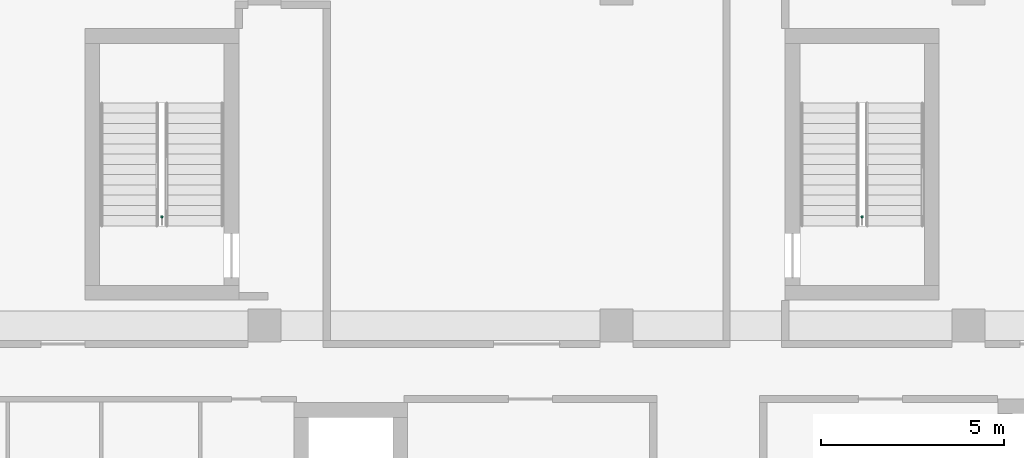
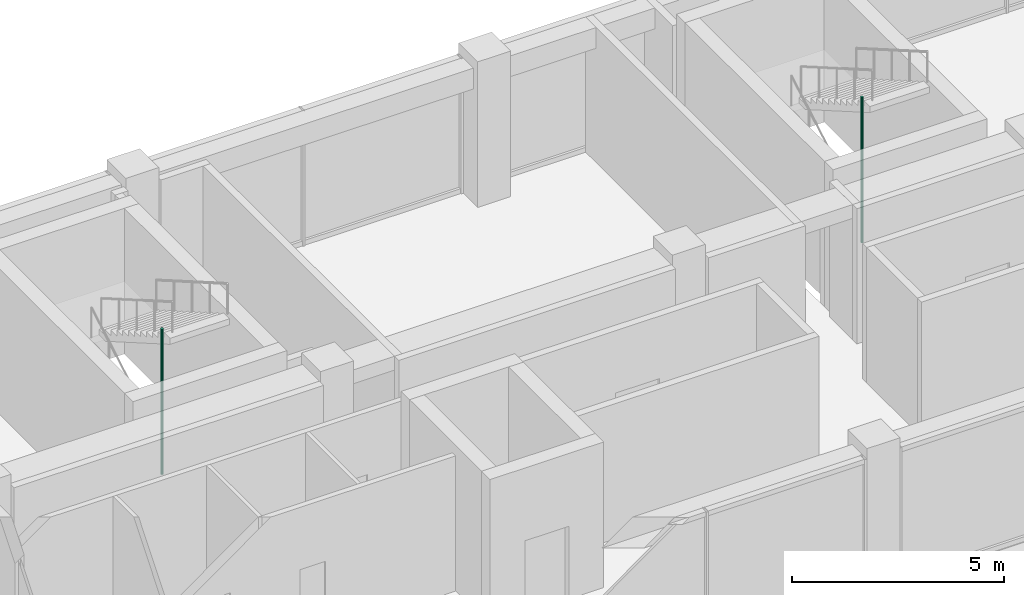
# One storey, part 35 of 37: 2 pipe segments.
"""IFC4 building model written with IfcOpenShell, lengths in metres."""

from ifc_helpers import new_model, si_unit, direction, frame, origin, origin_2d, place, context, subcontext, project, spatial, circle, extrude, element, save


model = new_model("IFC4")

# Units and contexts
model_context = context("Model", 3, precision=1e-05, world=origin(), true_north=direction((0.0, 1.0)))
body_context = subcontext(model_context, "Body", "Model", "MODEL_VIEW")
ifc_project = project(units=[si_unit("LENGTHUNIT", "METRE"), si_unit("AREAUNIT", "SQUARE_METRE"), si_unit("VOLUMEUNIT", "CUBIC_METRE"), si_unit("PLANEANGLEUNIT", "RADIAN"), si_unit("MASSUNIT", "GRAM", prefix="KILO")], contexts=[model_context])

# Site, building, storey
site_placement = place(None, origin())
site = spatial("IfcSite", under=ifc_project, at=site_placement, CompositionType="ELEMENT")
building_placement = place(site_placement, origin())
building = spatial("IfcBuilding", under=site, at=building_placement, Name="Nzadi Deep Aquarium and Research Tower", CompositionType="ELEMENT")
storey_placement = place(building_placement, frame((0.0, 0.0, 57.10009765625)))
storey = spatial("IfcBuildingStorey", under=building, at=storey_placement, Name="L11", CompositionType="ELEMENT", Elevation=57.10009765625)

# Pipe segments
for number, where, z_axis, x_axis, name in (
    (1, (6.800048828125, 39.77001953125, 0.0), (0.0, 0.0, 1.0), (1.0, 0.0, 0.0), "Dry riser ST-Z1-NW L11"),
    (2, (25.89990234375, 39.77001953125, 0.0), (0.0, 0.0, 1.0), (1.0, 0.0, 0.0), "Dry riser ST-Z1-NE L11"),
):
    element("IfcPipeSegment", number, at=place(storey_placement, frame(where, z_axis=z_axis, x_axis=x_axis)), inside=storey, Name=name, PredefinedType="RIGIDSEGMENT", context=body_context, shape_type="SweptSolid", body=[
        extrude(circle(Radius=0.034912109375, at=origin_2d()), origin(), (0.0, 0.0, 1.0), 4.199951171875),
    ])

save(model, "model.ifc")
